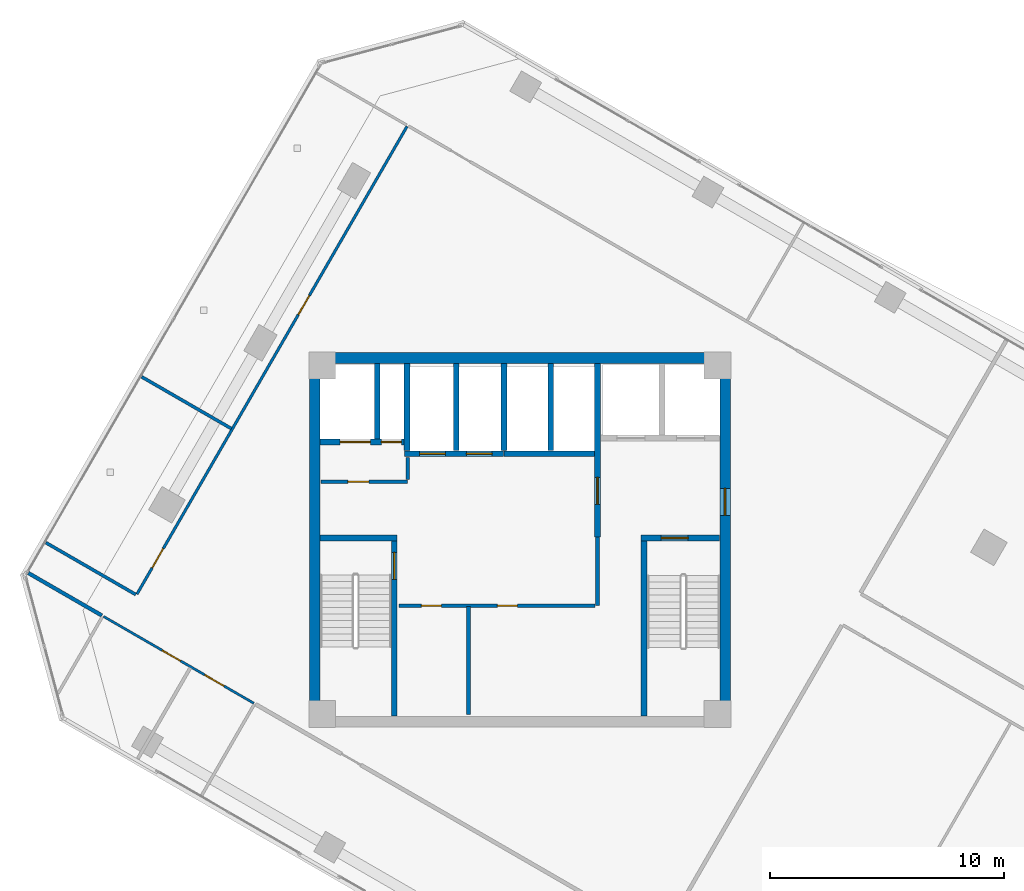
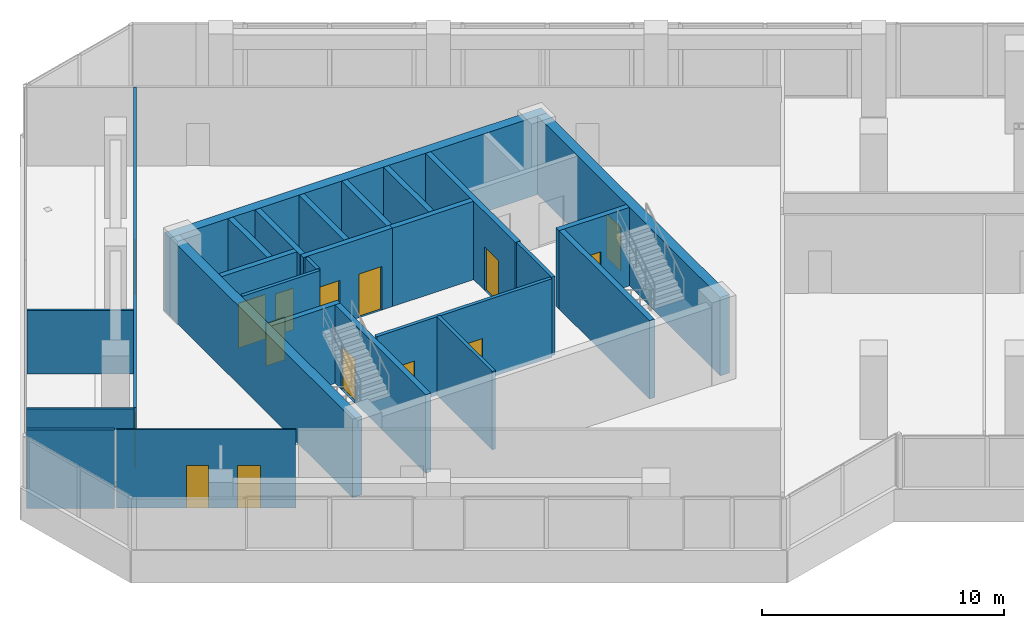
# One storey, part 17 of 21: 26 walls, 15 doors, 15 openings.
"""IFC4 building model written with IfcOpenShell, lengths in metres."""

from ifc_helpers import new_model, si_unit, direction, frame, frame_2d, origin, place, context, subcontext, project, spatial, rectangle, extrude, source, transform, mapped, material, layer, layer_set, type_object, element, fill, save


model = new_model("IFC4")

# Units and contexts
model_context = context("Model", 3, precision=1e-05, world=origin(), true_north=direction((0.0, 1.0)))
body_context = subcontext(model_context, "Body", "Model", "MODEL_VIEW")
ifc_project = project(units=[si_unit("LENGTHUNIT", "METRE"), si_unit("AREAUNIT", "SQUARE_METRE"), si_unit("VOLUMEUNIT", "CUBIC_METRE"), si_unit("PLANEANGLEUNIT", "RADIAN"), si_unit("MASSUNIT", "GRAM", prefix="KILO")], contexts=[model_context])

# Site, building, storey
site_placement = place(None, origin())
site = spatial("IfcSite", under=ifc_project, at=site_placement, CompositionType="ELEMENT")
building_placement = place(site_placement, origin())
building = spatial("IfcBuilding", under=site, at=building_placement, Name="Torre Montelarca", CompositionType="ELEMENT")
storey_placement = place(building_placement, frame((0.0, 0.0, 179.199951171875)))
storey = spatial("IfcBuildingStorey", under=building, at=storey_placement, Name="L40", CompositionType="ELEMENT", Elevation=179.199951171875)

# Wall, opening, door
ifc_material_1 = material(Name="Concrete C40/50", Category="concrete")
ifc_layer_1 = layer(ifc_material_1, 0.25, Name="Concrete C40/50", Category="concrete")
ifc_layer_set_1 = layer_set([ifc_layer_1], Name="Concrete C40/50")
wall_type_1 = type_object("IfcWallType", Name="CW-SHAFT-250", PredefinedType="SHEAR", material=ifc_layer_set_1)
wall_1_placement = place(storey_placement, frame((12.625, 24.4599609375, 0.0), z_axis=(0.0, 0.0, 1.0), x_axis=(0.0, 1.0, 0.0)))
wall_1 = element("IfcWall", 1, at=wall_1_placement, inside=storey, type_object=wall_type_1, Name="L40 Core Shear Wall SH-ST1-E", PredefinedType="SHEAR", context=body_context, shape_type="SweptSolid", body=[
    extrude(rectangle(XDim=7.489990234375, YDim=0.25, at=frame_2d((3.7451171875, 0.0))), origin(), (0.0, 0.0, 1.0), 3.9599609375),
])
opening_1_placement = place(wall_1_placement, frame((5.85009765625, 0.0, 0.0)))
opening_1 = element("IfcOpeningElement", 2, at=opening_1_placement, cuts=wall_1, Name="Opening FD-ST1", PredefinedType="OPENING", context=body_context, shape_type="SweptSolid", body=[
    extrude(rectangle(XDim=1.14990234375, YDim=2.199951171875, at=frame_2d((0.574951171875, 1.10009765625))), frame((0.0, 0.135009765625, 0.0), z_axis=(0.0, -1.0, 0.0), x_axis=(1.0, 0.0, 0.0)), (0.0, 0.0, 1.0), 0.27001953125),
])
ifc_material_2 = material(Name="Galvanized steel fire door", Category="steel")
door_type_1 = type_object("IfcDoorType", Name="DR-STAIR-115", OperationType="NOTDEFINED", PredefinedType="DOOR", material=ifc_material_2)
shared_shape_1 = source(origin(), body_context, "Body", "SweptSolid", [
    extrude(rectangle(XDim=1.14990234375, YDim=2.199951171875, at=frame_2d((0.574951171875, 1.10009765625))), frame((0.0, 0.02490234375, 0.0), z_axis=(0.0, -1.0, 0.0), x_axis=(1.0, 0.0, 0.0)), (0.0, 0.0, 1.0), 0.050048828125),
])
door_1_placement = place(opening_1_placement, origin())
door_1 = element("IfcDoor", 3, at=door_1_placement, inside=storey, type_object=door_type_1, Name="L40 Exit Stair ST1 Fire Door", OperationType="SINGLE_SWING_RIGHT", OverallHeight=2.199951171875, OverallWidth=1.14990234375, PredefinedType="DOOR", context=body_context, shape_type="MappedRepresentation", body=[
    mapped(shared_shape_1, transform((0.0, 0.0, 0.0), scale=1.0)),
])
fill(opening_1, door_1)

# Walls
wall_2_placement = place(storey_placement, frame((9.4599609375, 32.074951171875, 0.0), z_axis=(0.0, 0.0, 1.0), x_axis=(1.0, 0.0, 0.0)))
element("IfcWall", 4, at=wall_2_placement, inside=storey, type_object=wall_type_1, Name="L40 Core Shear Wall SH-ST1-N", PredefinedType="SHEAR", context=body_context, shape_type="SweptSolid", body=[
    extrude(rectangle(XDim=3.2900390625, YDim=0.25, at=frame_2d((1.64501953125, 0.0))), origin(), (0.0, 0.0, 1.0), 3.9599609375),
])
wall_3_placement = place(storey_placement, frame((23.31494140625, 24.4599609375, 0.0), z_axis=(0.0, 0.0, 1.0), x_axis=(0.0, 1.0, 0.0)))
element("IfcWall", 5, at=wall_3_placement, inside=storey, type_object=wall_type_1, Name="L40 Core Shear Wall SH-ST2-W", PredefinedType="SHEAR", context=body_context, shape_type="SweptSolid", body=[
    extrude(rectangle(XDim=7.489990234375, YDim=0.25, at=frame_2d((3.7451171875, 0.0))), origin(), (0.0, 0.0, 1.0), 3.9599609375),
])

# Wall, opening, door
wall_4_placement = place(storey_placement, frame((23.18994140625, 32.074951171875, 0.0), z_axis=(0.0, 0.0, 1.0), x_axis=(1.0, 0.0, 0.0)))
wall_4 = element("IfcWall", 6, at=wall_4_placement, inside=storey, type_object=wall_type_1, Name="L40 Core Shear Wall SH-ST2-N", PredefinedType="SHEAR", context=body_context, shape_type="SweptSolid", body=[
    extrude(rectangle(XDim=3.35009765625, YDim=0.25, at=frame_2d((1.675048828125, 0.0))), origin(), (0.0, 0.0, 1.0), 3.9599609375),
])
opening_2_placement = place(wall_4_placement, frame((0.85009765625, 0.0, 0.0)))
opening_2 = element("IfcOpeningElement", 7, at=opening_2_placement, cuts=wall_4, Name="Opening FD-ST1", PredefinedType="OPENING", context=body_context, shape_type="SweptSolid", body=[
    extrude(rectangle(XDim=1.14990234375, YDim=2.199951171875, at=frame_2d((0.574951171875, 1.10009765625))), frame((0.0, 0.135009765625, 0.0), z_axis=(0.0, -1.0, 0.0), x_axis=(1.0, 0.0, 0.0)), (0.0, 0.0, 1.0), 0.27001953125),
])
door_2_placement = place(opening_2_placement, origin())
door_2 = element("IfcDoor", 8, at=door_2_placement, inside=storey, type_object=door_type_1, Name="L40 Exit Stair ST2 Fire Door", OperationType="SINGLE_SWING_RIGHT", OverallHeight=2.199951171875, OverallWidth=1.14990234375, PredefinedType="DOOR", context=body_context, shape_type="MappedRepresentation", body=[
    mapped(shared_shape_1, transform((0.0, 0.0, 0.0), scale=1.0)),
])
fill(opening_2, door_2)

wall_5_placement = place(storey_placement, frame((21.320068359375, 32.1201171875, 0.0), z_axis=(0.0, 0.0, 1.0), x_axis=(0.0, 1.0, 0.0)))
wall_5 = element("IfcWall", 9, at=wall_5_placement, inside=storey, type_object=wall_type_1, Name="L40 Core Shear Wall SH-FFL-W", PredefinedType="SHEAR", context=body_context, shape_type="SweptSolid", body=[
    extrude(rectangle(XDim=7.419921875, YDim=0.25, at=frame_2d((3.7099609375, 0.0))), origin(), (0.0, 0.0, 1.0), 3.9599609375),
])
opening_3_placement = place(wall_5_placement, frame((1.39990234375, 0.0, 0.0)))
opening_3 = element("IfcOpeningElement", 10, at=opening_3_placement, cuts=wall_5, Name="Opening FD-LB1", PredefinedType="OPENING", context=body_context, shape_type="SweptSolid", body=[
    extrude(rectangle(XDim=1.14990234375, YDim=2.199951171875, at=frame_2d((0.574951171875, 1.10009765625))), frame((0.0, 0.135009765625, 0.0), z_axis=(0.0, -1.0, 0.0), x_axis=(1.0, 0.0, 0.0)), (0.0, 0.0, 1.0), 0.27001953125),
])
ifc_material_3 = material(Name="Acoustic timber-veneered fire door", Category="wood")
door_type_2 = type_object("IfcDoorType", Name="DR-LOBBY-115", OperationType="NOTDEFINED", PredefinedType="DOOR", material=ifc_material_3)
shared_shape_2 = source(origin(), body_context, "Body", "SweptSolid", [
    extrude(rectangle(XDim=1.14990234375, YDim=2.199951171875, at=frame_2d((0.574951171875, 1.10009765625))), frame((0.0, 0.02490234375, 0.0), z_axis=(0.0, -1.0, 0.0), x_axis=(1.0, 0.0, 0.0)), (0.0, 0.0, 1.0), 0.050048828125),
])
door_3_placement = place(opening_3_placement, origin())
door_3 = element("IfcDoor", 11, at=door_3_placement, inside=storey, type_object=door_type_2, Name="L40 Lift Lobby to Firefighting Lobby Smoke Door", OperationType="SINGLE_SWING_LEFT", OverallHeight=2.199951171875, OverallWidth=1.14990234375, PredefinedType="DOOR", context=body_context, shape_type="MappedRepresentation", body=[
    mapped(shared_shape_2, transform((0.0, 0.0, 0.0), scale=1.0)),
])
fill(opening_3, door_3)

# Wall, openings, doors
wall_6_placement = place(storey_placement, frame((9.4599609375, 36.179931640625, 0.0), z_axis=(0.0, 0.0, 1.0), x_axis=(1.0, 0.0, 0.0)))
wall_6 = element("IfcWall", 12, at=wall_6_placement, inside=storey, type_object=wall_type_1, Name="L40 Core Shear Wall SH-SV1-S", PredefinedType="SHEAR", context=body_context, shape_type="SweptSolid", body=[
    extrude(rectangle(XDim=3.7900390625, YDim=0.25, at=frame_2d((1.89501953125, 0.0))), origin(), (0.0, 0.0, 1.0), 3.9599609375),
])
opening_4_placement = place(wall_6_placement, frame((2.6201171875, 0.0, 0.0)))
opening_4 = element("IfcOpeningElement", 13, at=opening_4_placement, cuts=wall_6, Name="Opening FD-085", PredefinedType="OPENING", context=body_context, shape_type="SweptSolid", body=[
    extrude(rectangle(XDim=0.85009765625, YDim=2.10009765625, at=frame_2d((0.425048828125, 1.050048828125))), frame((0.0, 0.135009765625, 0.0), z_axis=(0.0, -1.0, 0.0), x_axis=(1.0, 0.0, 0.0)), (0.0, 0.0, 1.0), 0.27001953125),
])
opening_5_placement = place(wall_6_placement, frame((0.85009765625, 0.0, 0.0)))
opening_5 = element("IfcOpeningElement", 14, at=opening_5_placement, cuts=wall_6, Name="Opening LD-130", PredefinedType="OPENING", context=body_context, shape_type="SweptSolid", body=[
    extrude(rectangle(XDim=1.300048828125, YDim=2.25, at=frame_2d((0.64990234375, 1.125))), frame((0.0, 0.135009765625, 0.0), z_axis=(0.0, -1.0, 0.0), x_axis=(1.0, 0.0, 0.0)), (0.0, 0.0, 1.0), 0.27001953125),
])
ifc_material_4 = material(Name="Steel riser access fire door", Category="steel")
door_type_3 = type_object("IfcDoorType", Name="DR-RISER-085", OperationType="NOTDEFINED", PredefinedType="DOOR", material=ifc_material_4)
shared_shape_3 = source(origin(), body_context, "Body", "SweptSolid", [
    extrude(rectangle(XDim=0.85009765625, YDim=2.10009765625, at=frame_2d((0.425048828125, 1.050048828125))), frame((0.0, 0.02490234375, 0.0), z_axis=(0.0, -1.0, 0.0), x_axis=(1.0, 0.0, 0.0)), (0.0, 0.0, 1.0), 0.050048828125),
])
door_4_placement = place(opening_4_placement, origin())
door_4 = element("IfcDoor", 15, at=door_4_placement, inside=storey, type_object=door_type_3, Name="L40 Electrical Riser Shaft Access Door", OperationType="SINGLE_SWING_RIGHT", OverallHeight=2.10009765625, OverallWidth=0.85009765625, PredefinedType="DOOR", context=body_context, shape_type="MappedRepresentation", body=[
    mapped(shared_shape_3, transform((0.0, 0.0, 0.0), scale=1.0)),
])
fill(opening_4, door_4)
ifc_material_5 = material(Name="Brushed stainless steel AISI 316", Category="steel")
door_type_4 = type_object("IfcDoorType", Name="DR-LIFT-130", OperationType="SLIDING_TO_LEFT", PredefinedType="DOOR", material=ifc_material_5)
shared_shape_4 = source(origin(), body_context, "Body", "SweptSolid", [
    extrude(rectangle(XDim=1.300048828125, YDim=2.25, at=frame_2d((0.64990234375, 1.125))), frame((0.0, 0.02490234375, 0.0), z_axis=(0.0, -1.0, 0.0), x_axis=(1.0, 0.0, 0.0)), (0.0, 0.0, 1.0), 0.050048828125),
])
door_5_placement = place(opening_5_placement, origin())
door_5 = element("IfcDoor", 16, at=door_5_placement, inside=storey, type_object=door_type_4, Name="L40 Lift Landing Sliding Door SV-1", OperationType="SLIDING_TO_LEFT", OverallHeight=2.25, OverallWidth=1.300048828125, PredefinedType="DOOR", context=body_context, shape_type="MappedRepresentation", body=[
    mapped(shared_shape_4, transform((0.0, 0.0, 0.0), scale=1.0)),
])
fill(opening_5, door_5)

# Wall
wall_7_placement = place(storey_placement, frame((11.89990234375, 36.31005859375, 0.0), z_axis=(0.0, 0.0, 1.0), x_axis=(0.0, 1.0, 0.0)))
element("IfcWall", 17, at=wall_7_placement, inside=storey, type_object=wall_type_1, Name="L40 Core Shear Wall SH-SV1-E", PredefinedType="SHEAR", context=body_context, shape_type="SweptSolid", body=[
    extrude(rectangle(XDim=3.22998046875, YDim=0.25, at=frame_2d((1.614990234375, 0.0))), origin(), (0.0, 0.0, 1.0), 3.9599609375),
])

# Wall, openings, doors
wall_8_placement = place(storey_placement, frame((13.06005859375, 35.679931640625, 0.0), z_axis=(0.0, 0.0, 1.0), x_axis=(1.0, 0.0, 0.0)))
wall_8 = element("IfcWall", 18, at=wall_8_placement, inside=storey, type_object=wall_type_1, Name="L40 Core Shear Wall SH-PLM-S", PredefinedType="SHEAR", context=body_context, shape_type="SweptSolid", body=[
    extrude(rectangle(XDim=4.25, YDim=0.25, at=frame_2d((2.125, 0.0))), origin(), (0.0, 0.0, 1.0), 3.9599609375),
])
opening_6_placement = place(wall_8_placement, frame((0.64990234375, 0.0, 0.0)))
opening_6 = element("IfcOpeningElement", 19, at=opening_6_placement, cuts=wall_8, Name="Opening LD-110", PredefinedType="OPENING", context=body_context, shape_type="SweptSolid", body=[
    extrude(rectangle(XDim=1.10009765625, YDim=2.199951171875, at=frame_2d((0.550048828125, 1.10009765625))), frame((0.0, 0.135009765625, 0.0), z_axis=(0.0, -1.0, 0.0), x_axis=(1.0, 0.0, 0.0)), (0.0, 0.0, 1.0), 0.27001953125),
])
opening_7_placement = place(wall_8_placement, frame((2.64990234375, 0.0, 0.0)))
opening_7 = element("IfcOpeningElement", 20, at=opening_7_placement, cuts=wall_8, Name="Opening LD-110", PredefinedType="OPENING", context=body_context, shape_type="SweptSolid", body=[
    extrude(rectangle(XDim=1.10009765625, YDim=2.199951171875, at=frame_2d((0.550048828125, 1.10009765625))), frame((0.0, 0.135009765625, 0.0), z_axis=(0.0, -1.0, 0.0), x_axis=(1.0, 0.0, 0.0)), (0.0, 0.0, 1.0), 0.27001953125),
])
door_type_5 = type_object("IfcDoorType", Name="DR-LIFT-110", OperationType="SLIDING_TO_LEFT", PredefinedType="DOOR", material=ifc_material_5)
shared_shape_5 = source(origin(), body_context, "Body", "SweptSolid", [
    extrude(rectangle(XDim=1.10009765625, YDim=2.199951171875, at=frame_2d((0.550048828125, 1.10009765625))), frame((0.0, 0.02490234375, 0.0), z_axis=(0.0, -1.0, 0.0), x_axis=(1.0, 0.0, 0.0)), (0.0, 0.0, 1.0), 0.050048828125),
])
door_6_placement = place(opening_6_placement, origin())
door_6 = element("IfcDoor", 21, at=door_6_placement, inside=storey, type_object=door_type_5, Name="L40 Lift Landing Sliding Door PL-M1", OperationType="SLIDING_TO_LEFT", OverallHeight=2.199951171875, OverallWidth=1.10009765625, PredefinedType="DOOR", context=body_context, shape_type="MappedRepresentation", body=[
    mapped(shared_shape_5, transform((0.0, 0.0, 0.0), scale=1.0)),
])
fill(opening_6, door_6)
door_7_placement = place(opening_7_placement, origin())
door_7 = element("IfcDoor", 22, at=door_7_placement, inside=storey, type_object=door_type_5, Name="L40 Lift Landing Sliding Door PL-M2", OperationType="SLIDING_TO_RIGHT", OverallHeight=2.199951171875, OverallWidth=1.10009765625, PredefinedType="DOOR", context=body_context, shape_type="MappedRepresentation", body=[
    mapped(shared_shape_5, transform((0.0, 0.0, 0.0), scale=1.0)),
])
fill(opening_7, door_7)

# Walls
for number, where, z_axis, x_axis, name in (
    (23, (13.179931640625, 35.81005859375, 0.0), (0.0, 0.0, 1.0), (0.0, 1.0, 0.0), "L40 Core Shear Wall SH-PLM-W"),
    (24, (15.280029296875, 35.81005859375, 0.0), (0.0, 0.0, 1.0), (0.0, 1.0, 0.0), "L40 Core Shear Wall SH-PLM-M"),
):
    element("IfcWall", number, at=place(storey_placement, frame(where, z_axis=z_axis, x_axis=x_axis)), inside=storey, type_object=wall_type_1, Name=name, PredefinedType="SHEAR", context=body_context, shape_type="SweptSolid", body=[
        extrude(rectangle(XDim=3.72998046875, YDim=0.25, at=frame_2d((1.864990234375, 0.0))), origin(), (0.0, 0.0, 1.0), 3.9599609375),
    ])
wall_9_placement = place(storey_placement, frame((17.320068359375, 35.679931640625, 0.0), z_axis=(0.0, 0.0, 1.0), x_axis=(1.0, 0.0, 0.0)))
element("IfcWall", 25, at=wall_9_placement, inside=storey, type_object=wall_type_1, Name="L40 Core Shear Wall SH-PLH-S", PredefinedType="SHEAR", context=body_context, shape_type="SweptSolid", body=[
    extrude(rectangle(XDim=3.869873046875, YDim=0.25, at=frame_2d((1.93505859375, 0.0))), origin(), (0.0, 0.0, 1.0), 3.9599609375),
])
for number, where, z_axis, x_axis, name in (
    (26, (17.320068359375, 35.81005859375, 0.0), (0.0, 0.0, 1.0), (0.0, 1.0, 0.0), "L40 Core Shear Wall SH-PLH-W"),
    (27, (19.320068359375, 35.81005859375, 0.0), (0.0, 0.0, 1.0), (0.0, 1.0, 0.0), "L40 Core Shear Wall SH-PLH-M"),
):
    element("IfcWall", number, at=place(storey_placement, frame(where, z_axis=z_axis, x_axis=x_axis)), inside=storey, type_object=wall_type_1, Name=name, PredefinedType="SHEAR", context=body_context, shape_type="SweptSolid", body=[
        extrude(rectangle(XDim=3.72998046875, YDim=0.25, at=frame_2d((1.864990234375, 0.0))), origin(), (0.0, 0.0, 1.0), 3.9599609375),
    ])
ifc_material_6 = material(Name="Concrete C55/67", Category="concrete")
ifc_layer_2 = layer(ifc_material_6, 0.449951171875, Name="Concrete C55/67", Category="concrete")
ifc_layer_set_2 = layer_set([ifc_layer_2], Name="Concrete C55/67")
wall_type_2 = type_object("IfcWallType", Name="CW-SHEAR-450", PredefinedType="SHEAR", material=ifc_layer_set_2)
wall_10_placement = place(storey_placement, frame((9.22509765625, 24.449951171875, 0.0), z_axis=(0.0, 0.0, 1.0), x_axis=(0.0, 1.0, 0.0)))
element("IfcWall", 28, at=wall_10_placement, inside=storey, type_object=wall_type_2, Name="L40 Core Shear Wall CW-W", PredefinedType="SHEAR", context=body_context, shape_type="SweptSolid", body=[
    extrude(rectangle(XDim=15.10009765625, YDim=0.449951171875, at=frame_2d((7.550048828125, 0.0))), origin(), (0.0, 0.0, 1.0), 3.9599609375),
])

# Wall, opening, door
wall_11_placement = place(storey_placement, frame((26.77490234375, 24.449951171875, 0.0), z_axis=(0.0, 0.0, 1.0), x_axis=(0.0, 1.0, 0.0)))
wall_11 = element("IfcWall", 29, at=wall_11_placement, inside=storey, type_object=wall_type_2, Name="L40 Core Shear Wall CW-E", PredefinedType="SHEAR", context=body_context, shape_type="SweptSolid", body=[
    extrude(rectangle(XDim=15.10009765625, YDim=0.449951171875, at=frame_2d((7.550048828125, 0.0))), origin(), (0.0, 0.0, 1.0), 3.9599609375),
])
opening_8_placement = place(wall_11_placement, frame((8.60009765625, 0.0, 0.0)))
opening_8 = element("IfcOpeningElement", 30, at=opening_8_placement, cuts=wall_11, Name="Opening FD-LB1", PredefinedType="OPENING", context=body_context, shape_type="SweptSolid", body=[
    extrude(rectangle(XDim=1.14990234375, YDim=2.199951171875, at=frame_2d((0.574951171875, 1.10009765625))), frame((0.0, 0.23486328125, 0.0), z_axis=(0.0, -1.0, 0.0), x_axis=(1.0, 0.0, 0.0)), (0.0, 0.0, 1.0), 0.469970703125),
])
door_8_placement = place(opening_8_placement, origin())
door_8 = element("IfcDoor", 31, at=door_8_placement, inside=storey, type_object=door_type_2, Name="L40 Firefighting Lift Lobby Corridor Fire Door", OperationType="SINGLE_SWING_RIGHT", OverallHeight=2.199951171875, OverallWidth=1.14990234375, PredefinedType="DOOR", context=body_context, shape_type="MappedRepresentation", body=[
    mapped(shared_shape_2, transform((0.0, 0.0, 0.0), scale=1.0)),
])
fill(opening_8, door_8)

# Wall
wall_12_placement = place(storey_placement, frame((9.0, 39.77490234375, 0.0), z_axis=(0.0, 0.0, 1.0), x_axis=(1.0, 0.0, 0.0)))
element("IfcWall", 32, at=wall_12_placement, inside=storey, type_object=wall_type_2, Name="L40 Core Shear Wall CW-N1", PredefinedType="SHEAR", context=body_context, shape_type="SweptSolid", body=[
    extrude(rectangle(XDim=18.0, YDim=0.449951171875, at=frame_2d((9.0, 0.0))), origin(), (0.0, 0.0, 1.0), 3.9599609375),
])

# Wall, opening, door
ifc_material_7 = material(Name="Gypsum plasterboard on steel stud", Category="steel")
ifc_layer_3 = layer(ifc_material_7, 0.159912109375, Name="Gypsum plasterboard on steel stud", Category="steel")
ifc_layer_set_3 = layer_set([ifc_layer_3], Name="Gypsum plasterboard on steel stud")
wall_type_3 = type_object("IfcWallType", Name="PW-FIRE-160", PredefinedType="PARTITIONING", material=ifc_layer_set_3)
wall_13_placement = place(storey_placement, frame((9.489990234375, 34.47998046875, 0.0), z_axis=(0.0, 0.0, 1.0), x_axis=(1.0, 0.0, 0.0)))
wall_13 = element("IfcWall", 33, at=wall_13_placement, inside=storey, type_object=wall_type_3, Name="L40 Interior Partition CW-L40-SVS", PredefinedType="PARTITIONING", context=body_context, shape_type="SweptSolid", body=[
    extrude(rectangle(XDim=3.699951171875, YDim=0.159912109375, at=frame_2d((1.85009765625, 0.0))), origin(), (0.0, 0.0, 1.0), 3.9599609375),
])
opening_9_placement = place(wall_13_placement, frame((1.14990234375, 0.0, 0.0)))
opening_9 = element("IfcOpeningElement", 34, at=opening_9_placement, cuts=wall_13, Name="Opening FD-090", PredefinedType="OPENING", context=body_context, shape_type="SweptSolid", body=[
    extrude(rectangle(XDim=0.89990234375, YDim=2.14990234375, at=frame_2d((0.449951171875, 1.074951171875))), frame((0.0, 0.08984375, 0.0), z_axis=(0.0, -1.0, 0.0), x_axis=(1.0, 0.0, 0.0)), (0.0, 0.0, 1.0), 0.179931640625),
])
ifc_material_8 = material(Name="Steel service fire door", Category="steel")
door_type_6 = type_object("IfcDoorType", Name="DR-FIRE-090", OperationType="NOTDEFINED", PredefinedType="DOOR", material=ifc_material_8)
shared_shape_6 = source(origin(), body_context, "Body", "SweptSolid", [
    extrude(rectangle(XDim=0.89990234375, YDim=2.14990234375, at=frame_2d((0.449951171875, 1.074951171875))), frame((0.0, 0.02490234375, 0.0), z_axis=(0.0, -1.0, 0.0), x_axis=(1.0, 0.0, 0.0)), (0.0, 0.0, 1.0), 0.050048828125),
])
door_9_placement = place(opening_9_placement, origin())
door_9 = element("IfcDoor", 35, at=door_9_placement, inside=storey, type_object=door_type_6, Name="L40 Interior Door 01", OperationType="SINGLE_SWING_RIGHT", OverallHeight=2.14990234375, OverallWidth=0.89990234375, PredefinedType="DOOR", context=body_context, shape_type="MappedRepresentation", body=[
    mapped(shared_shape_6, transform((0.0, 0.0, 0.0), scale=1.0)),
])
fill(opening_9, door_9)

# Wall
wall_14_placement = place(storey_placement, frame((13.199951171875, 34.570068359375, 0.0), z_axis=(0.0, 0.0, 1.0), x_axis=(0.0, 1.0, 0.0)))
element("IfcWall", 36, at=wall_14_placement, inside=storey, type_object=wall_type_3, Name="L40 Interior Partition CW-L40-SVE", PredefinedType="PARTITIONING", context=body_context, shape_type="SweptSolid", body=[
    extrude(rectangle(XDim=0.93994140625, YDim=0.159912109375, at=frame_2d((0.469970703125, 0.0))), origin(), (0.0, 0.0, 1.0), 3.9599609375),
])

# Wall, openings, doors
wall_15_placement = place(storey_placement, frame((12.840087890625, 29.179931640625, 0.0), z_axis=(0.0, 0.0, 1.0), x_axis=(1.0, 0.0, 0.0)))
wall_15 = element("IfcWall", 37, at=wall_15_placement, inside=storey, type_object=wall_type_3, Name="L40 Interior Partition CW-L40-FRDN", PredefinedType="PARTITIONING", context=body_context, shape_type="SweptSolid", body=[
    extrude(rectangle(XDim=8.369873046875, YDim=0.159912109375, at=frame_2d((4.18505859375, 0.0))), origin(), (0.0, 0.0, 1.0), 3.9599609375),
])
opening_10_placement = place(wall_15_placement, frame((0.949951171875, 0.0, 0.0)))
opening_10 = element("IfcOpeningElement", 38, at=opening_10_placement, cuts=wall_15, Name="Opening FD-085", PredefinedType="OPENING", context=body_context, shape_type="SweptSolid", body=[
    extrude(rectangle(XDim=0.85009765625, YDim=2.10009765625, at=frame_2d((0.425048828125, 1.050048828125))), frame((0.0, 0.08984375, 0.0), z_axis=(0.0, -1.0, 0.0), x_axis=(1.0, 0.0, 0.0)), (0.0, 0.0, 1.0), 0.179931640625),
])
opening_11_placement = place(wall_15_placement, frame((4.199951171875, 0.0, 0.0)))
opening_11 = element("IfcOpeningElement", 39, at=opening_11_placement, cuts=wall_15, Name="Opening FD-085", PredefinedType="OPENING", context=body_context, shape_type="SweptSolid", body=[
    extrude(rectangle(XDim=0.85009765625, YDim=2.10009765625, at=frame_2d((0.425048828125, 1.050048828125))), frame((0.0, 0.08984375, 0.0), z_axis=(0.0, -1.0, 0.0), x_axis=(1.0, 0.0, 0.0)), (0.0, 0.0, 1.0), 0.179931640625),
])
door_10_placement = place(opening_10_placement, origin())
door_10 = element("IfcDoor", 40, at=door_10_placement, inside=storey, type_object=door_type_3, Name="L40 Interior Door 02", OperationType="SINGLE_SWING_LEFT", OverallHeight=2.10009765625, OverallWidth=0.85009765625, PredefinedType="DOOR", context=body_context, shape_type="MappedRepresentation", body=[
    mapped(shared_shape_3, transform((0.0, 0.0, 0.0), scale=1.0)),
])
fill(opening_10, door_10)
door_11_placement = place(opening_11_placement, origin())
door_11 = element("IfcDoor", 41, at=door_11_placement, inside=storey, type_object=door_type_3, Name="L40 Interior Door 03", OperationType="SINGLE_SWING_RIGHT", OverallHeight=2.10009765625, OverallWidth=0.85009765625, PredefinedType="DOOR", context=body_context, shape_type="MappedRepresentation", body=[
    mapped(shared_shape_3, transform((0.0, 0.0, 0.0), scale=1.0)),
])
fill(opening_11, door_11)

# Walls
wall_16_placement = place(storey_placement, frame((15.800048828125, 24.5400390625, 0.0), z_axis=(0.0, 0.0, 1.0), x_axis=(0.0, 1.0, 0.0)))
element("IfcWall", 42, at=wall_16_placement, inside=storey, type_object=wall_type_3, Name="L40 Interior Partition CW-L40-FRD1", PredefinedType="PARTITIONING", context=body_context, shape_type="SweptSolid", body=[
    extrude(rectangle(XDim=4.599853515625, YDim=0.159912109375, at=frame_2d((2.2998046875, 0.0))), origin(), (0.0, 0.0, 1.0), 3.9599609375),
])
wall_17_placement = place(storey_placement, frame((21.320068359375, 29.18994140625, 0.0), z_axis=(0.0, 0.0, 1.0), x_axis=(0.0, 1.0, 0.0)))
element("IfcWall", 43, at=wall_17_placement, inside=storey, type_object=wall_type_3, Name="L40 Interior Partition CW-L40-FRE", PredefinedType="PARTITIONING", context=body_context, shape_type="SweptSolid", body=[
    extrude(rectangle(XDim=2.920166015625, YDim=0.159912109375, at=frame_2d((1.4599609375, 0.0))), origin(), (0.0, 0.0, 1.0), 3.9599609375),
])
wall_18_placement = place(storey_placement, frame((-3.015869140625, 30.577392578125, 0.0), z_axis=(0.0, 0.0, 1.0), x_axis=(0.866011990707, -0.500023231413, 0.0)))
element("IfcWall", 44, at=wall_18_placement, inside=storey, type_object=wall_type_3, Name="L40 Interior Partition W-L40-SOCCW", PredefinedType="PARTITIONING", context=body_context, shape_type="SweptSolid", body=[
    extrude(rectangle(XDim=3.630126953125, YDim=0.159912109375, at=frame_2d((1.81494140625, 0.0))), origin(), (0.0, 0.0, 1.0), 3.9599609375),
])

# Wall, openings, doors
ifc_material_9 = material(Name="Acoustic laminated glass partition", Category="glass")
ifc_layer_4 = layer(ifc_material_9, 0.10009765625, Name="Acoustic laminated glass partition", Category="glass")
ifc_layer_set_4 = layer_set([ifc_layer_4], Name="Acoustic laminated glass partition")
wall_type_4 = type_object("IfcWallType", Name="PW-GLAZ-100", PredefinedType="PARTITIONING", material=ifc_layer_set_4)
wall_19_placement = place(storey_placement, frame((0.197021484375, 28.722412109375, 0.0), z_axis=(0.0, 0.0, 1.0), x_axis=(0.866017374541, -0.5000139068, 0.0)))
wall_19 = element("IfcWall", 45, at=wall_19_placement, inside=storey, type_object=wall_type_4, Name="L40 Interior Partition W-L40-WCN", PredefinedType="PARTITIONING", context=body_context, shape_type="SweptSolid", body=[
    extrude(rectangle(XDim=7.420166015625, YDim=0.10009765625, at=frame_2d((3.7099609375, 0.0))), origin(), (0.0, 0.0, 1.0), 3.9599609375),
])
opening_12_placement = place(wall_19_placement, frame((2.89990234375, 0.0, 0.0)))
opening_12 = element("IfcOpeningElement", 46, at=opening_12_placement, cuts=wall_19, Name="Opening ID-090", PredefinedType="OPENING", context=body_context, shape_type="SweptSolid", body=[
    extrude(rectangle(XDim=0.89990234375, YDim=2.14990234375, at=frame_2d((0.449951171875, 1.074951171875))), frame((0.0, 0.06005859375, 0.0), z_axis=(0.0, -1.0, 0.0), x_axis=(1.0, 0.0, 0.0)), (0.0, 0.0, 1.0), 0.1201171875),
])
opening_13_placement = place(wall_19_placement, frame((5.0, 0.0, 0.0)))
opening_13 = element("IfcOpeningElement", 47, at=opening_13_placement, cuts=wall_19, Name="Opening ID-095", PredefinedType="OPENING", context=body_context, shape_type="SweptSolid", body=[
    extrude(rectangle(XDim=0.949951171875, YDim=2.14990234375, at=frame_2d((0.47509765625, 1.074951171875))), frame((0.0, 0.06005859375, 0.0), z_axis=(0.0, -1.0, 0.0), x_axis=(1.0, 0.0, 0.0)), (0.0, 0.0, 1.0), 0.1201171875),
])
ifc_material_10 = material(Name="Hardwood acoustic timber veneer", Category="wood")
door_type_7 = type_object("IfcDoorType", Name="DR-INT-090", OperationType="NOTDEFINED", PredefinedType="DOOR", material=ifc_material_10)
shared_shape_7 = source(origin(), body_context, "Body", "SweptSolid", [
    extrude(rectangle(XDim=0.89990234375, YDim=2.14990234375, at=frame_2d((0.449951171875, 1.074951171875))), frame((0.0, 0.02490234375, 0.0), z_axis=(0.0, -1.0, 0.0), x_axis=(1.0, 0.0, 0.0)), (0.0, 0.0, 1.0), 0.050048828125),
])
door_12_placement = place(opening_12_placement, origin())
door_12 = element("IfcDoor", 48, at=door_12_placement, inside=storey, type_object=door_type_7, Name="L40 Interior Door 04", OperationType="SINGLE_SWING_LEFT", OverallHeight=2.14990234375, OverallWidth=0.89990234375, PredefinedType="DOOR", context=body_context, shape_type="MappedRepresentation", body=[
    mapped(shared_shape_7, transform((0.0, 0.0, 0.0), scale=1.0)),
])
fill(opening_12, door_12)
door_type_8 = type_object("IfcDoorType", Name="DR-INT-095", OperationType="NOTDEFINED", PredefinedType="DOOR", material=ifc_material_10)
shared_shape_8 = source(origin(), body_context, "Body", "SweptSolid", [
    extrude(rectangle(XDim=0.949951171875, YDim=2.14990234375, at=frame_2d((0.47509765625, 1.074951171875))), frame((0.0, 0.02490234375, 0.0), z_axis=(0.0, -1.0, 0.0), x_axis=(1.0, 0.0, 0.0)), (0.0, 0.0, 1.0), 0.050048828125),
])
door_13_placement = place(opening_13_placement, origin())
door_13 = element("IfcDoor", 49, at=door_13_placement, inside=storey, type_object=door_type_8, Name="L40 Interior Door 05", OperationType="SINGLE_SWING_RIGHT", OverallHeight=2.14990234375, OverallWidth=0.949951171875, PredefinedType="DOOR", context=body_context, shape_type="MappedRepresentation", body=[
    mapped(shared_shape_8, transform((0.0, 0.0, 0.0), scale=1.0)),
])
fill(opening_13, door_13)

ifc_layer_5 = layer(ifc_material_7, 0.114990234375, Name="Gypsum plasterboard on steel stud", Category="steel")
ifc_layer_set_5 = layer_set([ifc_layer_5], Name="Gypsum plasterboard on steel stud")
wall_type_5 = type_object("IfcWallType", Name="PW-PART-115", PredefinedType="PARTITIONING", material=ifc_layer_set_5)
wall_20_placement = place(storey_placement, frame((1.625244140625, 29.676025390625, 0.0), z_axis=(0.0, 0.0, 1.0), x_axis=(0.500002707681, 0.866023840498, 0.0)))
wall_20 = element("IfcWall", 50, at=wall_20_placement, inside=storey, type_object=wall_type_5, Name="L40 Interior Partition W-L40-WWGE", PredefinedType="PARTITIONING", context=body_context, shape_type="SweptSolid", body=[
    extrude(rectangle(XDim=23.099853515625, YDim=0.114990234375, at=frame_2d((11.5498046875, 0.0))), origin(), (0.0, 0.0, 1.0), 3.9599609375),
])
opening_14_placement = place(wall_20_placement, frame((1.300048828125, 0.0, 0.0)))
opening_14 = element("IfcOpeningElement", 51, at=opening_14_placement, cuts=wall_20, Name="Opening ID-095", PredefinedType="OPENING", context=body_context, shape_type="SweptSolid", body=[
    extrude(rectangle(XDim=0.949951171875, YDim=2.14990234375, at=frame_2d((0.47509765625, 1.074951171875))), frame((0.0, 0.0673828125, 0.0), z_axis=(0.0, -1.0, 0.0), x_axis=(1.0, 0.0, 0.0)), (0.0, 0.0, 1.0), 0.135009765625),
])
opening_15_placement = place(wall_20_placement, frame((13.800048828125, 0.0, 0.0)))
opening_15 = element("IfcOpeningElement", 52, at=opening_15_placement, cuts=wall_20, Name="Opening ID-095", PredefinedType="OPENING", context=body_context, shape_type="SweptSolid", body=[
    extrude(rectangle(XDim=0.949951171875, YDim=2.14990234375, at=frame_2d((0.47509765625, 1.074951171875))), frame((0.0, 0.0673828125, 0.0), z_axis=(0.0, -1.0, 0.0), x_axis=(1.0, 0.0, 0.0)), (0.0, 0.0, 1.0), 0.135009765625),
])
door_14_placement = place(opening_14_placement, origin())
door_14 = element("IfcDoor", 53, at=door_14_placement, inside=storey, type_object=door_type_8, Name="L40 Interior Door 09", OperationType="SINGLE_SWING_LEFT", OverallHeight=2.14990234375, OverallWidth=0.949951171875, PredefinedType="DOOR", context=body_context, shape_type="MappedRepresentation", body=[
    mapped(shared_shape_8, transform((0.0, 0.0, 0.0), scale=1.0)),
])
fill(opening_14, door_14)
door_15_placement = place(opening_15_placement, origin())
door_15 = element("IfcDoor", 54, at=door_15_placement, inside=storey, type_object=door_type_8, Name="L40 Interior Door 10", OperationType="SINGLE_SWING_RIGHT", OverallHeight=2.14990234375, OverallWidth=0.949951171875, PredefinedType="DOOR", context=body_context, shape_type="MappedRepresentation", body=[
    mapped(shared_shape_8, transform((0.0, 0.0, 0.0), scale=1.0)),
])
fill(opening_15, door_15)

# Walls
ifc_layer_6 = layer(ifc_material_7, 0.135009765625, Name="Gypsum plasterboard on steel stud", Category="steel")
ifc_layer_set_6 = layer_set([ifc_layer_6], Name="Gypsum plasterboard on steel stud")
wall_type_6 = type_object("IfcWallType", Name="PW-PART-135", PredefinedType="PARTITIONING", material=ifc_layer_set_6)
wall_21_placement = place(storey_placement, frame((-2.265869140625, 31.87646484375, 0.0), z_axis=(0.0, 0.0, 1.0), x_axis=(0.866026823135, -0.499997541604, 0.0)))
element("IfcWall", 55, at=wall_21_placement, inside=storey, type_object=wall_type_6, Name="L40 Interior Partition W-L40-WWGS", PredefinedType="PARTITIONING", context=body_context, shape_type="SweptSolid", body=[
    extrude(rectangle(XDim=4.43017578125, YDim=0.135009765625, at=frame_2d((2.215087890625, 0.0))), origin(), (0.0, 0.0, 1.0), 3.9599609375),
])
wall_22_placement = place(storey_placement, frame((1.8291015625, 38.968994140625, 0.0), z_axis=(0.0, 0.0, 1.0), x_axis=(0.866050685319, -0.499956208541, 0.0)))
element("IfcWall", 56, at=wall_22_placement, inside=storey, type_object=wall_type_6, Name="L40 Interior Partition W-L40-WWGD-1", PredefinedType="PARTITIONING", context=body_context, shape_type="SweptSolid", body=[
    extrude(rectangle(XDim=4.43017578125, YDim=0.135009765625, at=frame_2d((2.215087890625, 0.0))), origin(), (0.0, 0.0, 1.0), 3.195068359375),
])

save(model, "model.ifc")
